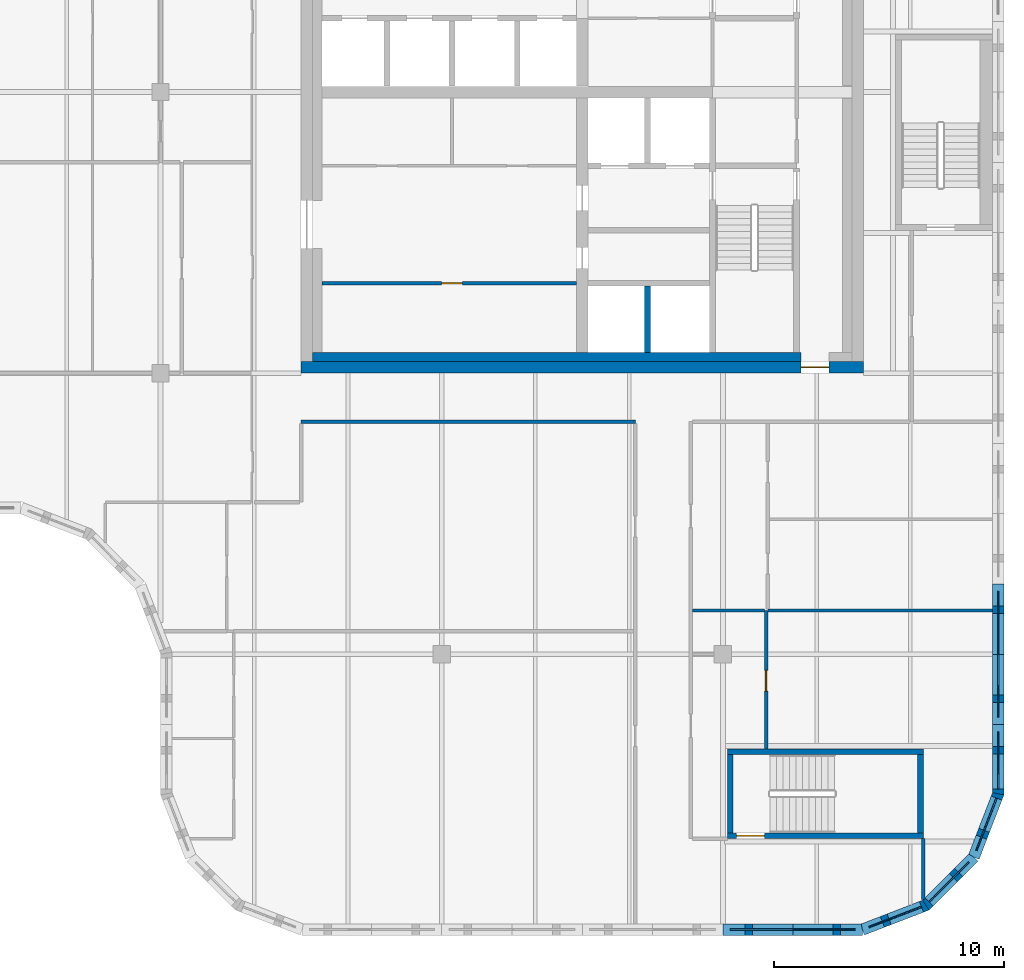
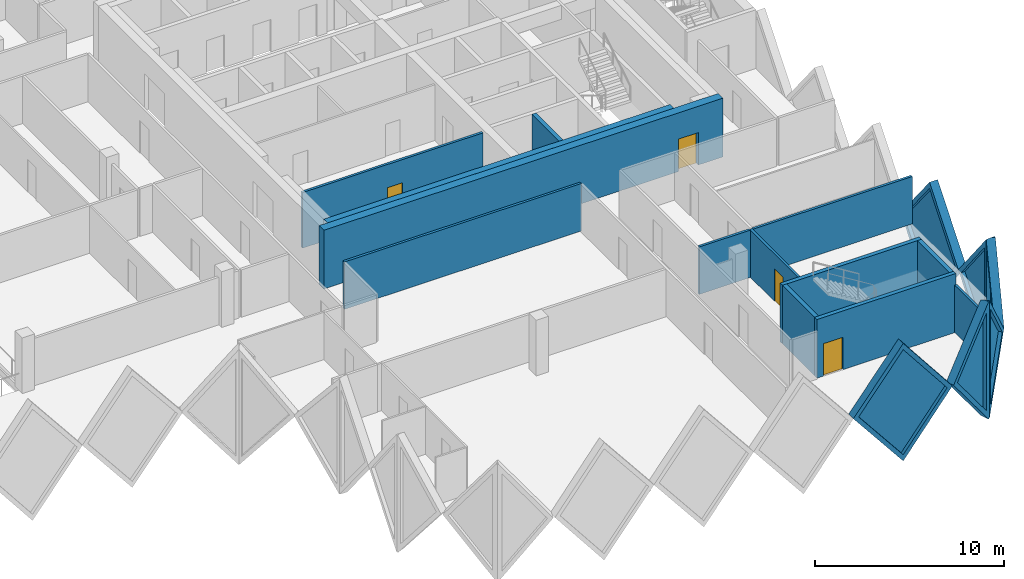
# One storey, part 5 of 11: 19 walls, 6 plates, 4 doors, 10 openings.
"""IFC4 building model written with IfcOpenShell, lengths in metres."""

import ifcopenshell
import ifcopenshell.guid

model = None  # the IFC model being written
_history = None  # IfcOwnerHistory: only IFC2X3 demands one
_inside = {}  # id of a spatial element -> (the spatial element, [elements in it])
_under = {}  # id of a project, library or spatial element -> (it, [spatial elements below it])
_declared = {}  # id of a project -> (the project, [libraries it declares])
_typed = {}  # id of a type object -> (the type object, [elements of that type])
_made_of = {}  # id of a material, layer set ... -> (it, [elements and type objects made of it])


def new_model(schema):
    """Start an empty IFC model of exactly this schema.

    Asked for "IFC4X3", IfcOpenShell would pick the latest addendum, in which some entities
    have other attributes; the version numbers below select the first issue.
    IFC2X3 requires an IfcOwnerHistory on every rooted entity: one is made here for all.
    """
    global model, _history
    if schema == "IFC4X3":
        model = ifcopenshell.file(schema_version=(4, 3, 0, 0))
    else:
        model = ifcopenshell.file(schema=schema)
    _inside.clear()
    _under.clear()
    _declared.clear()
    _typed.clear()
    _made_of.clear()
    _history = None
    if model.schema == "IFC2X3":
        org = make("IfcOrganization", Name="unknown")
        user = make(
            "IfcPersonAndOrganization",
            ThePerson=make("IfcPerson", FamilyName="unknown"),
            TheOrganization=org,
        )
        app = make(
            "IfcApplication",
            ApplicationDeveloper=org,
            Version="unknown",
            ApplicationFullName="unknown",
            ApplicationIdentifier="unknown",
        )
        _history = make(
            "IfcOwnerHistory",
            OwningUser=user,
            OwningApplication=app,
            ChangeAction="ADDED",
            CreationDate=0,
        )
    return model


def make(cls, **values):
    """One entity of the class cls with the attributes given. An attribute that is None is left unset."""
    return model.create_entity(
        cls, **{name: value for name, value in values.items() if value is not None}
    )


def rooted(cls, **values):
    """An entity with a GlobalId (a new one), such as an element, a storey or a relation."""
    return make(cls, GlobalId=ifcopenshell.guid.new(), OwnerHistory=_history, **values)


def si_unit(unit_type, name, prefix=None):
    """IfcSIUnit, for example si_unit("LENGTHUNIT", "METRE", prefix="MILLI")."""
    return make("IfcSIUnit", UnitType=unit_type, Prefix=prefix, Name=name)


def assignment(units):
    """IfcUnitAssignment: the units of a project."""
    return None if units is None else make("IfcUnitAssignment", Units=units)


def point(xyz):
    """IfcCartesianPoint."""
    return None if xyz is None else make("IfcCartesianPoint", Coordinates=xyz)


def direction(xyz):
    """IfcDirection."""
    return None if xyz is None else make("IfcDirection", DirectionRatios=xyz)


def frame(location, z_axis=None, x_axis=None):
    """IfcAxis2Placement3D, a coordinate frame: its origin and axes. An axis left out is left unset."""
    return make(
        "IfcAxis2Placement3D",
        Location=point(location),
        Axis=direction(z_axis),
        RefDirection=direction(x_axis),
    )


def frame_2d(location, x_axis=None):
    """IfcAxis2Placement2D, a coordinate frame in the plane: its origin and x axis."""
    return make(
        "IfcAxis2Placement2D", Location=point(location), RefDirection=direction(x_axis)
    )


def origin():
    """The frame at (0, 0, 0) with its axes left unset."""
    return frame((0.0, 0.0, 0.0))


def place(relative_to, where):
    """IfcLocalPlacement: puts the frame where relative to a parent placement (None: the world)."""
    return make(
        "IfcLocalPlacement", PlacementRelTo=relative_to, RelativePlacement=where
    )


def context(
    kind, dimensions, precision=None, world=None, true_north=None, identifier=None
):
    """IfcGeometricRepresentationContext, for example the 3D "Model" context."""
    return make(
        "IfcGeometricRepresentationContext",
        ContextIdentifier=identifier,
        ContextType=kind,
        CoordinateSpaceDimension=dimensions,
        Precision=precision,
        WorldCoordinateSystem=world,
        TrueNorth=true_north,
    )


def subcontext(parent, identifier, kind, view, scale=None):
    """IfcGeometricRepresentationSubContext, for example "Body" below "Model"."""
    return make(
        "IfcGeometricRepresentationSubContext",
        ContextIdentifier=identifier,
        ContextType=kind,
        ParentContext=parent,
        TargetScale=scale,
        TargetView=view,
    )


def project(units=None, contexts=None):
    """IfcProject with its units and contexts."""
    return rooted(
        "IfcProject",
        Name="project",
        RepresentationContexts=contexts,
        UnitsInContext=assignment(units),
    )


def spatial(cls, under=None, at=None, **own):
    """A site, building, storey or space (cls), placed at a placement, below another one or the project."""
    s = rooted(cls, ObjectPlacement=at, **own)
    if under is not None:
        _under.setdefault(under.id(), (under, []))[1].append(s)
    return s


def polyline(points):
    """IfcPolyline through the points."""
    return make("IfcPolyline", Points=[point(p) for p in points])


def profile(cls, at=None, kind="AREA", **sizes):
    """A parametric profile (cls). Its sizes go by their IFC names, for example OverallWidth=200.0."""
    return make(cls, ProfileType=kind, Position=at, **sizes)


def rectangle(**sizes):
    """IfcRectangleProfileDef."""
    return profile("IfcRectangleProfileDef", **sizes)


def outline(outer, holes=None, kind="AREA"):
    """IfcArbitraryClosedProfileDef: a profile drawn as a closed curve; with holes, ...WithVoids."""
    if holes is None:
        return make("IfcArbitraryClosedProfileDef", ProfileType=kind, OuterCurve=outer)
    return make(
        "IfcArbitraryProfileDefWithVoids",
        ProfileType=kind,
        OuterCurve=outer,
        InnerCurves=holes,
    )


def extrude(swept, where, along, depth):
    """IfcExtrudedAreaSolid: the profile swept, set in the frame where, extruded along a direction by depth."""
    return make(
        "IfcExtrudedAreaSolid",
        SweptArea=swept,
        Position=where,
        ExtrudedDirection=direction(along),
        Depth=depth,
    )


def faces_of(points, faces, orient=None, outer=None):
    """IfcFace entities. A face is a list of loops; a loop is a list of indices into points, from 0.

    orient and outer hold one flag for each loop. By default every Orientation is true, the
    first loop of a face is its IfcFaceOuterBound and the others are IfcFaceBound.
    """
    made = []
    for i, loops in enumerate(faces):
        bounds = []
        for j, loop in enumerate(loops):
            is_outer = j == 0 if outer is None else outer[i][j]
            bounds.append(
                make(
                    "IfcFaceOuterBound" if is_outer else "IfcFaceBound",
                    Bound=make("IfcPolyLoop", Polygon=[points[k] for k in loop]),
                    Orientation=True if orient is None else orient[i][j],
                )
            )
        made.append(make("IfcFace", Bounds=bounds))
    return made


def faceted_brep(points, faces, orient=None, outer=None, voids=None):
    """IfcFacetedBrep: a solid bounded by flat faces; with voids (closed shells), ...WithVoids."""
    shared = [point(p) for p in points]
    hull = make("IfcClosedShell", CfsFaces=faces_of(shared, faces, orient, outer))
    if voids is None:
        return make("IfcFacetedBrep", Outer=hull)
    return make(
        "IfcFacetedBrepWithVoids",
        Outer=hull,
        Voids=[
            make(cls, CfsFaces=faces_of(shared, fs, o, b)) for cls, fs, o, b in voids
        ],
    )


def shape(context_of_items, identifier, shape_type, items):
    """IfcShapeRepresentation: the items that make up one representation, for example the "Body"."""
    return make(
        "IfcShapeRepresentation",
        ContextOfItems=context_of_items,
        RepresentationIdentifier=identifier,
        RepresentationType=shape_type,
        Items=items,
    )


def source(mapping_origin, context_of_items, identifier, shape_type, items):
    """IfcRepresentationMap: a shape defined once, which mapped items show again and again."""
    return make(
        "IfcRepresentationMap",
        MappingOrigin=mapping_origin,
        MappedRepresentation=shape(context_of_items, identifier, shape_type, items),
    )


def transform(
    local_origin,
    x_axis=None,
    y_axis=None,
    z_axis=None,
    scale=None,
    scale2=None,
    scale3=None,
    uniform=True,
):
    """IfcCartesianTransformationOperator3D, or its non-uniform kind. x_axis, y_axis, z_axis: its Axis1, 2, 3."""
    if uniform:
        return make(
            "IfcCartesianTransformationOperator3D",
            Axis1=direction(x_axis),
            Axis2=direction(y_axis),
            LocalOrigin=point(local_origin),
            Scale=scale,
            Axis3=direction(z_axis),
        )
    return make(
        "IfcCartesianTransformationOperator3DnonUniform",
        Axis1=direction(x_axis),
        Axis2=direction(y_axis),
        LocalOrigin=point(local_origin),
        Scale=scale,
        Axis3=direction(z_axis),
        Scale2=scale2,
        Scale3=scale3,
    )


def mapped(mapping_source, mapping_target):
    """IfcMappedItem: shows the shape of a source again, moved by a transform."""
    return make(
        "IfcMappedItem", MappingSource=mapping_source, MappingTarget=mapping_target
    )


def material(Name=None, Category=None):
    """IfcMaterial."""
    return make("IfcMaterial", Name=Name, Category=Category)


def layer(
    of_material, thickness, ventilated=None, Name=None, Category=None, Priority=None
):
    """IfcMaterialLayer: one layer of a wall or slab, of a material (None: an air gap)."""
    return make(
        "IfcMaterialLayer",
        Material=of_material,
        LayerThickness=thickness,
        IsVentilated=ventilated,
        Name=Name,
        Category=Category,
        Priority=Priority,
    )


def layer_set(layers, Name=None):
    """IfcMaterialLayerSet."""
    return make("IfcMaterialLayerSet", MaterialLayers=layers, LayerSetName=Name)


def made_of(thing, what):
    """Note that an element or type object is made of a material, layer set ...; save() writes the relation."""
    if what is not None:
        _made_of.setdefault(what.id(), (what, []))[1].append(thing)
    return thing


def type_object(cls, material=None, **own):
    """A type object (cls), such as IfcWallType, which elements share."""
    return made_of(rooted(cls, **own), material)


def element(
    cls,
    number,
    at=None,
    inside=None,
    cuts=None,
    type_object=None,
    material=None,
    context=None,
    identifier="Body",
    shape_type=None,
    held_by="IfcProductDefinitionShape",
    body=None,
    shapes=None,
    **own,
):
    """One element of the class cls, such as IfcWall. Its Tag is "e" and its number.

    at: its placement. inside: the storey or other place that contains it. cuts: it is an
    opening in that element (IfcRelVoidsElement). A single representation is given by context,
    identifier, shape_type and body (its items); several are given by shapes. held_by: the class
    of the entity that holds the representations. save() writes the other relations.
    """
    e = rooted(cls, Tag="e%d" % number, ObjectPlacement=at, **own)
    if body is not None:
        shapes = [shape(context, identifier, shape_type, body)]
    if shapes is not None:
        e.Representation = make(held_by, Representations=shapes)
    if inside is not None:
        _inside.setdefault(inside.id(), (inside, []))[1].append(e)
    if cuts is not None:
        rooted(
            "IfcRelVoidsElement", RelatingBuildingElement=cuts, RelatedOpeningElement=e
        )
    if type_object is not None:
        _typed.setdefault(type_object.id(), (type_object, []))[1].append(e)
    return made_of(e, material)


def fill(opening, filler):
    """IfcRelFillsElement: the door or window that sits in an opening."""
    return rooted(
        "IfcRelFillsElement",
        RelatingOpeningElement=opening,
        RelatedBuildingElement=filler,
    )


def aggregate(whole, parts):
    """IfcRelAggregates: a whole, such as a stair, and the parts it consists of."""
    return rooted("IfcRelAggregates", RelatingObject=whole, RelatedObjects=parts)


def save(model, path):
    """Write the relations noted so far, then the file.

    IfcRelAggregates (storeys below a building ...), IfcRelContainedInSpatialStructure (elements
    in a storey), IfcRelDefinesByType, IfcRelAssociatesMaterial and IfcRelDeclares: one each for
    every whole, place, type object, material and project.
    """
    for whole, parts in _under.values():
        aggregate(whole, parts)
    for where, things in _inside.values():
        rooted(
            "IfcRelContainedInSpatialStructure",
            RelatedElements=things,
            RelatingStructure=where,
        )
    for kind, things in _typed.values():
        rooted("IfcRelDefinesByType", RelatedObjects=things, RelatingType=kind)
    for what, things in _made_of.values():
        rooted("IfcRelAssociatesMaterial", RelatedObjects=things, RelatingMaterial=what)
    for by, libraries in _declared.values():
        rooted("IfcRelDeclares", RelatingContext=by, RelatedDefinitions=libraries)
    model.write(path)


model = new_model("IFC4")

# Units and contexts
model_context = context("Model", 3, precision=1e-05, world=origin(), true_north=direction((0.0, 1.0)))
body_context = subcontext(model_context, "Body", "Model", "MODEL_VIEW")
ifc_project = project(units=[si_unit("LENGTHUNIT", "METRE"), si_unit("AREAUNIT", "SQUARE_METRE"), si_unit("VOLUMEUNIT", "CUBIC_METRE"), si_unit("PLANEANGLEUNIT", "RADIAN"), si_unit("MASSUNIT", "GRAM", prefix="KILO")], contexts=[model_context])

# Site, building, storey
site_placement = place(None, origin())
site = spatial("IfcSite", under=ifc_project, at=site_placement, CompositionType="ELEMENT")
building_placement = place(site_placement, origin())
building = spatial("IfcBuilding", under=site, at=building_placement, Name="Tessera Gate Towers", CompositionType="ELEMENT")
storey_placement = place(building_placement, frame((0.0, 0.0, 201.699951171875)))
storey = spatial("IfcBuildingStorey", under=building, at=storey_placement, Name="L50", CompositionType="ELEMENT", Elevation=201.699951171875)

# Wall
ifc_material_1 = material(Name="Concrete C40/50", Category="concrete")
ifc_layer_1 = layer(ifc_material_1, 0.25)
ifc_layer_set_1 = layer_set([ifc_layer_1], Name="CORE ENCLOSURE WALL 250")
wall_type_1 = type_object("IfcWallType", Name="CORE ENCLOSURE WALL 250", PredefinedType="SOLIDWALL", material=ifc_layer_set_1)
wall_1_placement = place(storey_placement, frame((45.52490234375, 25.300048828125, 0.0), z_axis=(0.0, 0.0, 1.0), x_axis=(0.0, 1.0, 0.0)))
element("IfcWall", 1, at=wall_1_placement, inside=storey, type_object=wall_type_1, Name="L50 shaft and stair enclosure wall", PredefinedType="SOLIDWALL", context=body_context, shape_type="SweptSolid", body=[
    extrude(rectangle(XDim=2.875, YDim=0.25, at=frame_2d((1.4375, 0.0))), origin(), (0.0, 0.0, 1.0), 3.800048828125),
])

# Wall, opening, door
wall_2_placement = place(storey_placement, frame((57.5, 4.324951171875, 0.0), z_axis=(0.0, 0.0, 1.0), x_axis=(-1.0, 0.0, 0.0)))
wall_2 = element("IfcWall", 2, at=wall_2_placement, inside=storey, type_object=wall_type_1, Name="L50 ST4 enclosure wall", PredefinedType="SOLIDWALL", context=body_context, shape_type="SweptSolid", body=[
    extrude(rectangle(XDim=8.5, YDim=0.25, at=frame_2d((4.25, 0.0))), origin(), (0.0, 0.0, 1.0), 3.800048828125),
])
shared_shape_1 = source(origin(), body_context, "Body", "SweptSolid", [
    extrude(rectangle(XDim=1.199951171875, YDim=2.10009765625, at=frame_2d((0.60009765625, 1.050048828125))), frame((0.0, 0.135009765625, 0.0), z_axis=(0.0, -1.0, 0.0), x_axis=(1.0, 0.0, 0.0)), (0.0, 0.0, 1.0), 0.27001953125),
])
opening_1_placement = place(wall_2_placement, frame((6.89990234375, 0.0, 0.0)))
opening_1 = element("IfcOpeningElement", 3, at=opening_1_placement, cuts=wall_2, Name="Opening SD-ST4-1", PredefinedType="OPENING", context=body_context, shape_type="MappedRepresentation", body=[
    mapped(shared_shape_1, transform((0.0, 0.0, 0.0), scale=1.0)),
])
ifc_material_2 = material(Name="Hollow steel fire door", Category="steel")
door_type_1 = type_object("IfcDoorType", Name="CORE DOOR SD 1200x2100", OperationType="NOTDEFINED", PredefinedType="DOOR", material=ifc_material_2)
shared_shape_2 = source(origin(), body_context, "Body", "SweptSolid", [
    extrude(rectangle(XDim=1.199951171875, YDim=2.10009765625, at=frame_2d((0.60009765625, 1.050048828125))), frame((0.0, 0.02490234375, 0.0), z_axis=(0.0, -1.0, 0.0), x_axis=(1.0, 0.0, 0.0)), (0.0, 0.0, 1.0), 0.050048828125),
])
door_1_placement = place(opening_1_placement, origin())
door_1 = element("IfcDoor", 4, at=door_1_placement, inside=storey, type_object=door_type_1, Name="Stair door", OperationType="SINGLE_SWING_RIGHT", OverallHeight=2.10009765625, OverallWidth=1.199951171875, PredefinedType="DOOR", context=body_context, shape_type="MappedRepresentation", body=[
    mapped(shared_shape_2, transform((0.0, 0.0, 0.0), scale=1.0)),
])
fill(opening_1, door_1)

# Walls
wall_3_placement = place(storey_placement, frame((49.125, 4.449951171875, 0.0), z_axis=(0.0, 0.0, 1.0), x_axis=(0.0, 1.0, 0.0)))
element("IfcWall", 5, at=wall_3_placement, inside=storey, type_object=wall_type_1, Name="L50 ST4 enclosure wall", PredefinedType="SOLIDWALL", context=body_context, shape_type="SweptSolid", body=[
    extrude(rectangle(XDim=3.400146484375, YDim=0.25, at=frame_2d((1.7001953125, 0.0))), origin(), (0.0, 0.0, 1.0), 3.800048828125),
])
wall_4_placement = place(storey_placement, frame((49.0, 7.97509765625, 0.0), z_axis=(0.0, 0.0, 1.0), x_axis=(1.0, 0.0, 0.0)))
element("IfcWall", 6, at=wall_4_placement, inside=storey, type_object=wall_type_1, Name="L50 ST4 enclosure wall", PredefinedType="SOLIDWALL", context=body_context, shape_type="SweptSolid", body=[
    extrude(rectangle(XDim=8.5, YDim=0.25, at=frame_2d((4.25, 0.0))), origin(), (0.0, 0.0, 1.0), 3.800048828125),
])
wall_5_placement = place(storey_placement, frame((57.375, 7.85009765625, 0.0), z_axis=(0.0, 0.0, 1.0), x_axis=(0.0, -1.0, 0.0)))
element("IfcWall", 7, at=wall_5_placement, inside=storey, type_object=wall_type_1, Name="L50 ST4 enclosure wall", PredefinedType="SOLIDWALL", context=body_context, shape_type="SweptSolid", body=[
    extrude(rectangle(XDim=3.400146484375, YDim=0.25, at=frame_2d((1.7001953125, 0.0))), origin(), (0.0, 0.0, 1.0), 3.800048828125),
])

# Wall, opening, door
ifc_material_3 = material(Name="Concrete C50/60", Category="concrete")
ifc_layer_2 = layer(ifc_material_3, 0.5)
ifc_layer_set_2 = layer_set([ifc_layer_2], Name="CORE SHEAR WALL 500 C50/60")
wall_type_2 = type_object("IfcWallType", Name="CORE SHEAR WALL 500 C50/60", PredefinedType="SHEAR", material=ifc_layer_set_2)
wall_6_placement = place(storey_placement, frame((54.89990234375, 24.64990234375, 0.0), z_axis=(0.0, 0.0, 1.0), x_axis=(-1.0, 0.0, 0.0)))
wall_6 = element("IfcWall", 8, at=wall_6_placement, inside=storey, type_object=wall_type_2, Name="Core wall S L50", PredefinedType="SHEAR", context=body_context, shape_type="SweptSolid", body=[
    extrude(rectangle(XDim=24.39990234375, YDim=0.5, at=frame_2d((12.199951171875, 0.0))), origin(), (0.0, 0.0, 1.0), 3.800048828125),
])
shared_shape_3 = source(origin(), body_context, "Body", "SweptSolid", [
    extrude(rectangle(XDim=1.199951171875, YDim=2.10009765625, at=frame_2d((0.60009765625, 1.050048828125))), frame((0.0, 0.260009765625, 0.0), z_axis=(0.0, -1.0, 0.0), x_axis=(1.0, 0.0, 0.0)), (0.0, 0.0, 1.0), 0.52001953125),
])
opening_2_placement = place(wall_6_placement, frame((1.5, 0.0, 0.0)))
opening_2 = element("IfcOpeningElement", 9, at=opening_2_placement, cuts=wall_6, Name="Opening ED-T1-31-01", PredefinedType="OPENING", context=body_context, shape_type="MappedRepresentation", body=[
    mapped(shared_shape_3, transform((0.0, 0.0, 0.0), scale=1.0)),
])
ifc_material_4 = material(Name="Hollow steel fire door", Category="steel")
door_type_2 = type_object("IfcDoorType", Name="CORE DOOR ED 1200x2100", OperationType="NOTDEFINED", PredefinedType="DOOR", material=ifc_material_4)
door_2_placement = place(opening_2_placement, origin())
door_2 = element("IfcDoor", 10, at=door_2_placement, inside=storey, type_object=door_type_2, Name="Core exit door", OperationType="SINGLE_SWING_LEFT", OverallHeight=2.10009765625, OverallWidth=1.199951171875, PredefinedType="DOOR", context=body_context, shape_type="MappedRepresentation", body=[
    mapped(shared_shape_2, transform((0.0, 0.0, 0.0), scale=1.0)),
])
fill(opening_2, door_2)

# Walls
ifc_material_5 = material(Name="Concrete C50/60", Category="concrete")
ifc_layer_3 = layer(ifc_material_5, 0.39990234375)
ifc_layer_set_3 = layer_set([ifc_layer_3], Name="CORE WALL THICKENING 400")
wall_type_3 = type_object("IfcWallType", Name="CORE WALL THICKENING 400", PredefinedType="SOLIDWALL", material=ifc_layer_set_3)
wall_7_placement = place(storey_placement, frame((31.0, 25.10009765625, 0.0), z_axis=(0.0, 0.0, 1.0), x_axis=(1.0, 0.0, 0.0)))
element("IfcWall", 11, at=wall_7_placement, inside=storey, type_object=wall_type_3, Name="Core wall thickening S L50", PredefinedType="SOLIDWALL", context=body_context, shape_type="SweptSolid", body=[
    extrude(rectangle(XDim=21.199951171875, YDim=0.39990234375, at=frame_2d((10.60009765625, 0.0))), origin(), (0.0, 0.0, 1.0), 3.800048828125),
])
ifc_material_6 = material(Name="Gypsum board on steel studs, mineral wool", Category="steel")
ifc_layer_4 = layer(ifc_material_6, 0.14990234375)
ifc_layer_set_4 = layer_set([ifc_layer_4], Name="CORRIDOR WALL 150")
wall_type_4 = type_object("IfcWallType", Name="CORRIDOR WALL 150", PredefinedType="PARTITIONING", material=ifc_layer_set_4)
wall_8_placement = place(storey_placement, frame((57.5, 1.55908203125, 0.0), z_axis=(0.0, 0.0, 1.0), x_axis=(0.0, 1.0, 0.0)))
element("IfcWall", 12, at=wall_8_placement, inside=storey, type_object=wall_type_4, Name="T1-L50-PW-002", PredefinedType="PARTITIONING", context=body_context, shape_type="SweptSolid", body=[
    extrude(rectangle(XDim=2.640869140625, YDim=0.14990234375, at=frame_2d((1.3203125, 0.0))), origin(), (0.0, 0.0, 1.0), 3.067138671875),
])
wall_9_placement = place(storey_placement, frame((30.5, 22.300048828125, 0.0), z_axis=(0.0, 0.0, 1.0), x_axis=(1.0, 0.0, 0.0)))
element("IfcWall", 13, at=wall_9_placement, inside=storey, type_object=wall_type_4, Name="T1-L50-PW-026", PredefinedType="PARTITIONING", context=body_context, shape_type="SweptSolid", body=[
    extrude(rectangle(XDim=14.5, YDim=0.14990234375, at=frame_2d((7.25, 0.0))), origin(), (0.0, 0.0, 1.0), 3.067138671875),
])

# Wall, opening, door
ifc_material_7 = material(Name="Gypsum board on steel studs", Category="steel")
ifc_layer_5 = layer(ifc_material_7, 0.14990234375)
ifc_layer_set_5 = layer_set([ifc_layer_5], Name="SERVICE ROOM WALL 150")
wall_type_5 = type_object("IfcWallType", Name="SERVICE ROOM WALL 150", PredefinedType="PARTITIONING", material=ifc_layer_set_5)
wall_10_placement = place(storey_placement, frame((42.449951171875, 28.300048828125, 0.0), z_axis=(0.0, 0.0, 1.0), x_axis=(-1.0, 0.0, 0.0)))
wall_10 = element("IfcWall", 14, at=wall_10_placement, inside=storey, type_object=wall_type_5, Name="L50 service room wall", PredefinedType="PARTITIONING", context=body_context, shape_type="SweptSolid", body=[
    extrude(rectangle(XDim=11.050048828125, YDim=0.14990234375, at=frame_2d((5.52490234375, 0.0))), origin(), (0.0, 0.0, 1.0), 3.60009765625),
])
shared_shape_4 = source(origin(), body_context, "Body", "SweptSolid", [
    extrude(rectangle(XDim=0.89990234375, YDim=2.10009765625, at=frame_2d((0.449951171875, 1.050048828125))), frame((0.0, 0.0849609375, 0.0), z_axis=(0.0, -1.0, 0.0), x_axis=(1.0, 0.0, 0.0)), (0.0, 0.0, 1.0), 0.169921875),
])
opening_3_placement = place(wall_10_placement, frame((4.949951171875, 0.0, 0.0)))
opening_3 = element("IfcOpeningElement", 15, at=opening_3_placement, cuts=wall_10, Name="Opening RD-T1-31-07", PredefinedType="OPENING", context=body_context, shape_type="MappedRepresentation", body=[
    mapped(shared_shape_4, transform((0.0, 0.0, 0.0), scale=1.0)),
])
ifc_material_8 = material(Name="Hollow steel fire door", Category="steel")
door_type_3 = type_object("IfcDoorType", Name="CORE DOOR RD 900x2100", OperationType="NOTDEFINED", PredefinedType="DOOR", material=ifc_material_8)
shared_shape_5 = source(origin(), body_context, "Body", "SweptSolid", [
    extrude(rectangle(XDim=0.89990234375, YDim=2.10009765625, at=frame_2d((0.449951171875, 1.050048828125))), frame((0.0, 0.02490234375, 0.0), z_axis=(0.0, -1.0, 0.0), x_axis=(1.0, 0.0, 0.0)), (0.0, 0.0, 1.0), 0.050048828125),
])
door_3_placement = place(opening_3_placement, origin())
door_3 = element("IfcDoor", 16, at=door_3_placement, inside=storey, type_object=door_type_3, Name="Core room door", OperationType="SINGLE_SWING_LEFT", OverallHeight=2.10009765625, OverallWidth=0.89990234375, PredefinedType="DOOR", context=body_context, shape_type="MappedRepresentation", body=[
    mapped(shared_shape_5, transform((0.0, 0.0, 0.0), scale=1.0)),
])
fill(opening_3, door_3)

ifc_material_9 = material(Name="Gypsum board on steel studs, mineral wool", Category="steel")
ifc_layer_6 = layer(ifc_material_9, 0.14990234375)
ifc_layer_set_6 = layer_set([ifc_layer_6], Name="TENANCY WALL 150")
wall_type_6 = type_object("IfcWallType", Name="TENANCY WALL 150", PredefinedType="PARTITIONING", material=ifc_layer_set_6)
wall_11_placement = place(storey_placement, frame((50.675048828125, 14.10009765625, 0.0), z_axis=(0.0, 0.0, 1.0), x_axis=(0.0, -1.0, 0.0)))
wall_11 = element("IfcWall", 17, at=wall_11_placement, inside=storey, type_object=wall_type_6, Name="T1-L50-PW-007", PredefinedType="PARTITIONING", context=body_context, shape_type="SweptSolid", body=[
    extrude(rectangle(XDim=6.0, YDim=0.14990234375, at=frame_2d((3.0, 0.0))), origin(), (0.0, 0.0, 1.0), 3.067138671875),
])
opening_4_placement = place(wall_11_placement, frame((2.60009765625, 0.0, 0.0)))
opening_4 = element("IfcOpeningElement", 18, at=opening_4_placement, cuts=wall_11, Name="Opening D190-A18-04", PredefinedType="OPENING", context=body_context, shape_type="MappedRepresentation", body=[
    mapped(shared_shape_4, transform((0.0, 0.0, 0.0), scale=1.0)),
])
ifc_material_10 = material(Name="Timber door leaf in steel frame", Category="steel")
door_type_4 = type_object("IfcDoorType", Name="INTERNAL DOOR 900 NOT RATED", OperationType="NOTDEFINED", PredefinedType="DOOR", material=ifc_material_10)
door_4_placement = place(opening_4_placement, origin())
door_4 = element("IfcDoor", 19, at=door_4_placement, inside=storey, type_object=door_type_4, Name="T1-L50-PD-009", OperationType="SINGLE_SWING_RIGHT", OverallHeight=2.10009765625, OverallWidth=0.89990234375, PredefinedType="DOOR", context=body_context, shape_type="MappedRepresentation", body=[
    mapped(shared_shape_5, transform((0.0, 0.0, 0.0), scale=1.0)),
])
fill(opening_4, door_4)

# Walls
wall_12_placement = place(storey_placement, frame((47.47607421875, 14.10009765625, 0.0), z_axis=(0.0, 0.0, 1.0), x_axis=(1.0, 0.0, 0.0)))
element("IfcWall", 20, at=wall_12_placement, inside=storey, type_object=wall_type_6, Name="T1-L50-PW-015", PredefinedType="PARTITIONING", context=body_context, shape_type="SweptSolid", body=[
    extrude(rectangle(XDim=3.123046875, YDim=0.14990234375, at=frame_2d((1.5615234375, 0.0))), origin(), (0.0, 0.0, 1.0), 3.067138671875),
])
wall_13_placement = place(storey_placement, frame((50.75, 14.10009765625, 0.0), z_axis=(0.0, 0.0, 1.0), x_axis=(1.0, 0.0, 0.0)))
element("IfcWall", 21, at=wall_13_placement, inside=storey, type_object=wall_type_6, Name="T1-L50-PW-016", PredefinedType="PARTITIONING", context=body_context, shape_type="SweptSolid", body=[
    extrude(rectangle(XDim=9.75, YDim=0.14990234375, at=frame_2d((4.875, 0.0))), origin(), (0.0, 0.0, 1.0), 3.067138671875),
])

# Wall, opening, plate
ifc_material_11 = material(Name="Precast concrete C60/75 white", Category="concrete")
ifc_layer_7 = layer(ifc_material_11, 0.5)
ifc_layer_set_7 = layer_set([ifc_layer_7], Name="TS1 tessera")
wall_type_7 = type_object("IfcWallType", Name="TS1 tessera", PredefinedType="SOLIDWALL", material=ifc_layer_set_7)
shared_shape_6 = source(origin(), body_context, "Body", "SweptSolid", [
    extrude(outline(polyline([(3.050048828125, 0.0), (6.10009765625, 3.800048828125), (3.050048828125, 7.60009765625), (0.0, 3.800048828125), (3.050048828125, 0.0)])), frame((0.0, 0.25, 0.0), z_axis=(0.0, -1.0, 0.0), x_axis=(1.0, 0.0, 0.0)), (0.0, 0.0, 1.0), 0.5),
])
wall_14_placement = place(storey_placement, frame((60.75, 9.14990234375, -3.800048828125), z_axis=(0.0, 0.0, 1.0), x_axis=(0.0, 1.0, 0.0)))
wall_14 = element("IfcWall", 22, at=wall_14_placement, inside=storey, type_object=wall_type_7, Name="Precast tessera T1 TS1-0855", PredefinedType="SOLIDWALL", context=body_context, shape_type="MappedRepresentation", body=[
    mapped(shared_shape_6, transform((0.0, 0.0, 0.0), scale=1.0)),
])
shared_shape_7 = source(origin(), body_context, "Body", "SweptSolid", [
    extrude(outline(polyline([(3.050048828125, 0.3994140625), (5.779541015625, 3.800048828125), (3.050048828125, 7.20068359375), (0.320556640625, 3.800048828125), (3.050048828125, 0.3994140625)])), frame((0.0, 0.260009765625, 0.0), z_axis=(0.0, -1.0, 0.0), x_axis=(1.0, 0.0, 0.0)), (0.0, 0.0, 1.0), 0.52001953125),
])
opening_5_placement = place(wall_14_placement, origin())
opening_5 = element("IfcOpeningElement", 23, at=opening_5_placement, cuts=wall_14, Name="Opening T1-PL2-1747", PredefinedType="OPENING", context=body_context, shape_type="MappedRepresentation", body=[
    mapped(shared_shape_7, transform((0.0, 0.0, 0.0), scale=1.0)),
])
ifc_material_12 = material(Name="Low-e laminated glass", Category="glass")
ifc_layer_8 = layer(ifc_material_12, 0.06005859375)
ifc_layer_set_8 = layer_set([ifc_layer_8], Name="PL2 rhombic pane")
plate_type = type_object("IfcPlateType", Name="PL2 rhombic pane", PredefinedType="SHEET", material=ifc_layer_set_8)
shared_shape_8 = source(origin(), body_context, "Body", "SweptSolid", [
    extrude(outline(polyline([(3.050048828125, 0.3994140625), (5.779541015625, 3.800048828125), (3.050048828125, 7.20068359375), (0.320556640625, 3.800048828125), (3.050048828125, 0.3994140625)])), frame((0.0, 0.030029296875, 0.0), z_axis=(0.0, -1.0, 0.0), x_axis=(1.0, 0.0, 0.0)), (0.0, 0.0, 1.0), 0.06005859375),
])
plate_1_placement = place(opening_5_placement, origin())
plate_1 = element("IfcPlate", 24, at=plate_1_placement, inside=storey, type_object=plate_type, Name="Glass pane T1 PL2-1747", PredefinedType="SHEET", context=body_context, shape_type="MappedRepresentation", body=[
    mapped(shared_shape_8, transform((0.0, 0.0, 0.0), scale=1.0)),
])
fill(opening_5, plate_1)

shared_shape_9 = source(origin(), body_context, "Body", "Brep", [
    faceted_brep([(3.050048828125, -0.25, 0.0), (6.053466796875, -0.25, 3.800048828125), (3.050048828125, -0.25, 7.60009765625), (0.0, -0.25, 3.800048828125), (0.0, 0.25, 3.800048828125), (3.050048828125, 0.25, 7.60009765625), (6.0068359375, 0.25, 3.85888671875), (6.0068359375, 0.25, 3.7412109375), (3.050048828125, 0.25, 0.0), (6.053466796875, 0.0, 3.800048828125)], [[[0, 1, 2, 3]], [[4, 5, 6, 7, 8]], [[8, 7, 9, 1, 0]], [[6, 5, 2, 1, 9]], [[5, 4, 3, 2]], [[4, 8, 0, 3]], [[9, 7, 6]]]),
])
wall_15_placement = place(storey_placement, frame((48.800048828125, 0.25, -3.800048828125), z_axis=(0.0, 0.0, 1.0), x_axis=(1.0, 0.0, 0.0)))
wall_15 = element("IfcWall", 25, at=wall_15_placement, inside=storey, type_object=wall_type_7, Name="Precast tessera T1 TS1-0854", PredefinedType="SOLIDWALL", context=body_context, shape_type="MappedRepresentation", body=[
    mapped(shared_shape_9, transform((0.0, 0.0, 0.0), scale=1.0)),
])
shared_shape_10 = source(origin(), body_context, "Body", "SweptSolid", [
    extrude(outline(polyline([(3.048583984375, 0.4013671875), (5.73486328125, 3.800048828125), (3.048583984375, 7.19873046875), (0.320556640625, 3.800048828125), (3.048583984375, 0.4013671875)])), frame((0.0, 0.260009765625, 0.0), z_axis=(0.0, -1.0, 0.0), x_axis=(1.0, 0.0, 0.0)), (0.0, 0.0, 1.0), 0.52001953125),
])
opening_6_placement = place(wall_15_placement, origin())
opening_6 = element("IfcOpeningElement", 26, at=opening_6_placement, cuts=wall_15, Name="Opening T1-PL2-1742", PredefinedType="OPENING", context=body_context, shape_type="MappedRepresentation", body=[
    mapped(shared_shape_10, transform((0.0, 0.0, 0.0), scale=1.0)),
])
shared_shape_11 = source(origin(), body_context, "Body", "SweptSolid", [
    extrude(outline(polyline([(3.048583984375, 0.4013671875), (5.73486328125, 3.800048828125), (3.048583984375, 7.19873046875), (0.320556640625, 3.800048828125), (3.048583984375, 0.4013671875)])), frame((0.0, 0.030029296875, 0.0), z_axis=(0.0, -1.0, 0.0), x_axis=(1.0, 0.0, 0.0)), (0.0, 0.0, 1.0), 0.06005859375),
])
plate_2_placement = place(opening_6_placement, origin())
plate_2 = element("IfcPlate", 27, at=plate_2_placement, inside=storey, type_object=plate_type, Name="Glass pane T1 PL2-1742", PredefinedType="SHEET", context=body_context, shape_type="MappedRepresentation", body=[
    mapped(shared_shape_11, transform((0.0, 0.0, 0.0), scale=1.0)),
])
fill(opening_6, plate_2)

ifc_material_13 = material(Name="Precast concrete C60/75 white", Category="concrete")
ifc_layer_9 = layer(ifc_material_13, 0.5)
ifc_layer_set_9 = layer_set([ifc_layer_9], Name="TS3 corner tessera")
wall_type_8 = type_object("IfcWallType", Name="TS3 corner tessera", PredefinedType="SOLIDWALL", material=ifc_layer_set_9)
shared_shape_12 = source(origin(), body_context, "Body", "Brep", [
    faceted_brep([(2.950439453125, -0.25, 0.0), (3.00341796875, -0.25, 0.068359375), (3.00341796875, -0.25, 7.53173828125), (2.950439453125, -0.25, 7.60009765625), (0.0, -0.25, 3.800048828125), (0.046630859375, 0.25, 3.860107421875), (2.897705078125, 0.25, 7.531982421875), (2.897705078125, 0.25, 0.068115234375), (0.046630859375, 0.25, 3.739990234375), (2.950439453125, 0.00048828125, 0.0), (2.950439453125, 0.00048828125, 7.60009765625), (0.0, 0.0, 3.800048828125)], [[[0, 1, 2, 3, 4]], [[5, 6, 7, 8]], [[1, 0, 9]], [[10, 3, 2]], [[6, 5, 11, 4, 3, 10]], [[8, 7, 9, 0, 4, 11]], [[8, 11, 5]], [[1, 9, 7, 6, 10, 2]]]),
])
wall_16_placement = place(storey_placement, frame((54.853515625, 0.25, -3.800048828125), z_axis=(0.0, 0.0, 1.0), x_axis=(0.932970071518, 0.359953949349, 0.0)))
wall_16 = element("IfcWall", 28, at=wall_16_placement, inside=storey, type_object=wall_type_8, Name="Precast corner tessera T1 TS3-1153", PredefinedType="SOLIDWALL", context=body_context, shape_type="MappedRepresentation", body=[
    mapped(shared_shape_12, transform((0.0, 0.0, 0.0), scale=1.0)),
])
shared_shape_13 = source(origin(), body_context, "Body", "SweptSolid", [
    extrude(outline(polyline([(2.75048828125, 6.934814453125), (0.31640625, 3.800048828125), (2.75048828125, 0.665283203125), (2.75048828125, 6.934814453125)])), frame((0.0, 0.260009765625, 0.0), z_axis=(0.0, -1.0, 0.0), x_axis=(1.0, 0.0, 0.0)), (0.0, 0.0, 1.0), 0.52001953125),
])
opening_7_placement = place(wall_16_placement, origin())
opening_7 = element("IfcOpeningElement", 29, at=opening_7_placement, cuts=wall_16, Name="Opening T1-PL2-1743", PredefinedType="OPENING", context=body_context, shape_type="MappedRepresentation", body=[
    mapped(shared_shape_13, transform((0.0, 0.0, 0.0), scale=1.0)),
])
shared_shape_14 = source(origin(), body_context, "Body", "SweptSolid", [
    extrude(outline(polyline([(2.75048828125, 6.934814453125), (0.31640625, 3.800048828125), (2.75048828125, 0.665283203125), (2.75048828125, 6.934814453125)])), frame((0.0, 0.030029296875, 0.0), z_axis=(0.0, -1.0, 0.0), x_axis=(1.0, 0.0, 0.0)), (0.0, 0.0, 1.0), 0.06005859375),
])
plate_3_placement = place(opening_7_placement, origin())
plate_3 = element("IfcPlate", 30, at=plate_3_placement, inside=storey, type_object=plate_type, Name="Glass pane T1 PL2-1743", PredefinedType="SHEET", context=body_context, shape_type="MappedRepresentation", body=[
    mapped(shared_shape_14, transform((0.0, 0.0, 0.0), scale=1.0)),
])
fill(opening_7, plate_3)

shared_shape_15 = source(origin(), body_context, "Body", "Brep", [
    faceted_brep([(0.052978515625, -0.25, 0.0), (2.9970703125, -0.25, 3.800048828125), (0.052978515625, -0.25, 7.60009765625), (0.0, -0.25, 7.531982421875), (0.0, -0.25, 0.068115234375), (0.10595703125, 0.25, 7.53173828125), (2.944091796875, 0.25, 3.8681640625), (2.944091796875, 0.25, 3.73193359375), (0.10595703125, 0.25, 0.068359375), (2.9970703125, 0.000244140625, 3.800048828125), (0.052978515625, 0.0, 0.0), (0.052978515625, 0.0, 7.60009765625)], [[[0, 1, 2, 3, 4]], [[5, 6, 7, 8]], [[8, 7, 9, 1, 0, 10]], [[6, 5, 11, 2, 1, 9]], [[3, 2, 11]], [[10, 0, 4]], [[8, 10, 4, 3, 11, 5]], [[9, 7, 6]]]),
])
wall_17_placement = place(storey_placement, frame((57.56884765625, 1.2744140625, -3.800048828125), z_axis=(0.0, 0.0, 1.0), x_axis=(0.707066050402, 0.707147509625, 0.0)))
wall_17 = element("IfcWall", 31, at=wall_17_placement, inside=storey, type_object=wall_type_8, Name="Precast corner tessera T1 TS3-1154", PredefinedType="SOLIDWALL", context=body_context, shape_type="MappedRepresentation", body=[
    mapped(shared_shape_15, transform((0.0, 0.0, 0.0), scale=1.0)),
])
shared_shape_16 = source(origin(), body_context, "Body", "SweptSolid", [
    extrude(outline(polyline([(0.2529296875, 0.66650390625), (2.680908203125, 3.800048828125), (0.2529296875, 6.933837890625), (0.2529296875, 0.66650390625)])), frame((0.0, 0.260009765625, 0.0), z_axis=(0.0, -1.0, 0.0), x_axis=(1.0, 0.0, 0.0)), (0.0, 0.0, 1.0), 0.52001953125),
])
opening_8_placement = place(wall_17_placement, origin())
opening_8 = element("IfcOpeningElement", 32, at=opening_8_placement, cuts=wall_17, Name="Opening T1-PL2-1744", PredefinedType="OPENING", context=body_context, shape_type="MappedRepresentation", body=[
    mapped(shared_shape_16, transform((0.0, 0.0, 0.0), scale=1.0)),
])
shared_shape_17 = source(origin(), body_context, "Body", "SweptSolid", [
    extrude(outline(polyline([(0.2529296875, 0.66650390625), (2.680908203125, 3.800048828125), (0.2529296875, 6.933837890625), (0.2529296875, 0.66650390625)])), frame((0.0, 0.030029296875, 0.0), z_axis=(0.0, -1.0, 0.0), x_axis=(1.0, 0.0, 0.0)), (0.0, 0.0, 1.0), 0.06005859375),
])
plate_4_placement = place(opening_8_placement, origin())
plate_4 = element("IfcPlate", 33, at=plate_4_placement, inside=storey, type_object=plate_type, Name="Glass pane T1 PL2-1744", PredefinedType="SHEET", context=body_context, shape_type="MappedRepresentation", body=[
    mapped(shared_shape_17, transform((0.0, 0.0, 0.0), scale=1.0)),
])
fill(opening_8, plate_4)

shared_shape_18 = source(origin(), body_context, "Body", "Brep", [
    faceted_brep([(2.950439453125, -0.25, 0.0), (2.9970703125, -0.25, 0.05908203125), (2.9970703125, -0.25, 7.541015625), (2.950439453125, -0.25, 7.60009765625), (0.0, -0.25, 3.800048828125), (0.052978515625, 0.25, 3.8681640625), (2.904052734375, 0.25, 7.540283203125), (2.904052734375, 0.25, 0.059814453125), (0.052978515625, 0.25, 3.73193359375), (2.950439453125, 0.00048828125, 0.0), (2.950439453125, 0.00048828125, 7.60009765625), (0.0, 0.0, 3.800048828125)], [[[0, 1, 2, 3, 4]], [[5, 6, 7, 8]], [[1, 0, 9]], [[10, 3, 2]], [[6, 5, 11, 4, 3, 10]], [[8, 7, 9, 0, 4, 11]], [[8, 11, 5]], [[1, 9, 7, 6, 10, 2]]]),
])
wall_18_placement = place(storey_placement, frame((59.68798828125, 3.393798828125, -3.800048828125), z_axis=(0.0, 0.0, 1.0), x_axis=(0.359972353723, 0.932962970624, 0.0)))
wall_18 = element("IfcWall", 34, at=wall_18_placement, inside=storey, type_object=wall_type_8, Name="Precast corner tessera T1 TS3-1155", PredefinedType="SOLIDWALL", context=body_context, shape_type="MappedRepresentation", body=[
    mapped(shared_shape_18, transform((0.0, 0.0, 0.0), scale=1.0)),
])
opening_9_placement = place(wall_18_placement, origin())
opening_9 = element("IfcOpeningElement", 35, at=opening_9_placement, cuts=wall_18, Name="Opening T1-PL2-1745", PredefinedType="OPENING", context=body_context, shape_type="MappedRepresentation", body=[
    mapped(shared_shape_13, transform((0.0, 0.0, 0.0), scale=1.0)),
])
plate_5_placement = place(opening_9_placement, origin())
plate_5 = element("IfcPlate", 36, at=plate_5_placement, inside=storey, type_object=plate_type, Name="Glass pane T1 PL2-1745", PredefinedType="SHEET", context=body_context, shape_type="MappedRepresentation", body=[
    mapped(shared_shape_14, transform((0.0, 0.0, 0.0), scale=1.0)),
])
fill(opening_9, plate_5)

shared_shape_19 = source(origin(), body_context, "Body", "Brep", [
    faceted_brep([(0.046630859375, -0.25, 0.0), (3.050048828125, -0.25, 3.800048828125), (0.046630859375, -0.25, 7.60009765625), (0.0, -0.25, 7.5400390625), (0.0, -0.25, 0.06005859375), (0.09326171875, 0.25, 7.541259765625), (3.050048828125, 0.25, 3.800048828125), (0.09326171875, 0.25, 0.058837890625), (0.046630859375, 0.0, 0.0), (0.046630859375, 0.0, 7.60009765625)], [[[0, 1, 2, 3, 4]], [[5, 6, 7]], [[7, 6, 1, 0, 8]], [[6, 5, 9, 2, 1]], [[3, 2, 9]], [[8, 0, 4]], [[7, 8, 4, 3, 9, 5]]]),
])
wall_19_placement = place(storey_placement, frame((60.75, 6.099853515625, -3.800048828125), z_axis=(0.0, 0.0, 1.0), x_axis=(0.0, 1.0, 0.0)))
wall_19 = element("IfcWall", 37, at=wall_19_placement, inside=storey, type_object=wall_type_8, Name="Precast corner tessera T1 TS3-1156", PredefinedType="SOLIDWALL", context=body_context, shape_type="MappedRepresentation", body=[
    mapped(shared_shape_19, transform((0.0, 0.0, 0.0), scale=1.0)),
])
shared_shape_20 = source(origin(), body_context, "Body", "SweptSolid", [
    extrude(outline(polyline([(0.24658203125, 0.65625), (2.7314453125, 3.800048828125), (0.24658203125, 6.94384765625), (0.24658203125, 0.65625)])), frame((0.0, 0.260009765625, 0.0), z_axis=(0.0, -1.0, 0.0), x_axis=(1.0, 0.0, 0.0)), (0.0, 0.0, 1.0), 0.52001953125),
])
opening_10_placement = place(wall_19_placement, origin())
opening_10 = element("IfcOpeningElement", 38, at=opening_10_placement, cuts=wall_19, Name="Opening T1-PL2-1746", PredefinedType="OPENING", context=body_context, shape_type="MappedRepresentation", body=[
    mapped(shared_shape_20, transform((0.0, 0.0, 0.0), scale=1.0)),
])
shared_shape_21 = source(origin(), body_context, "Body", "SweptSolid", [
    extrude(outline(polyline([(0.24658203125, 0.65625), (2.7314453125, 3.800048828125), (0.24658203125, 6.94384765625), (0.24658203125, 0.65625)])), frame((0.0, 0.030029296875, 0.0), z_axis=(0.0, -1.0, 0.0), x_axis=(1.0, 0.0, 0.0)), (0.0, 0.0, 1.0), 0.06005859375),
])
plate_6_placement = place(opening_10_placement, origin())
plate_6 = element("IfcPlate", 39, at=plate_6_placement, inside=storey, type_object=plate_type, Name="Glass pane T1 PL2-1746", PredefinedType="SHEET", context=body_context, shape_type="MappedRepresentation", body=[
    mapped(shared_shape_21, transform((0.0, 0.0, 0.0), scale=1.0)),
])
fill(opening_10, plate_6)

save(model, "model.ifc")
